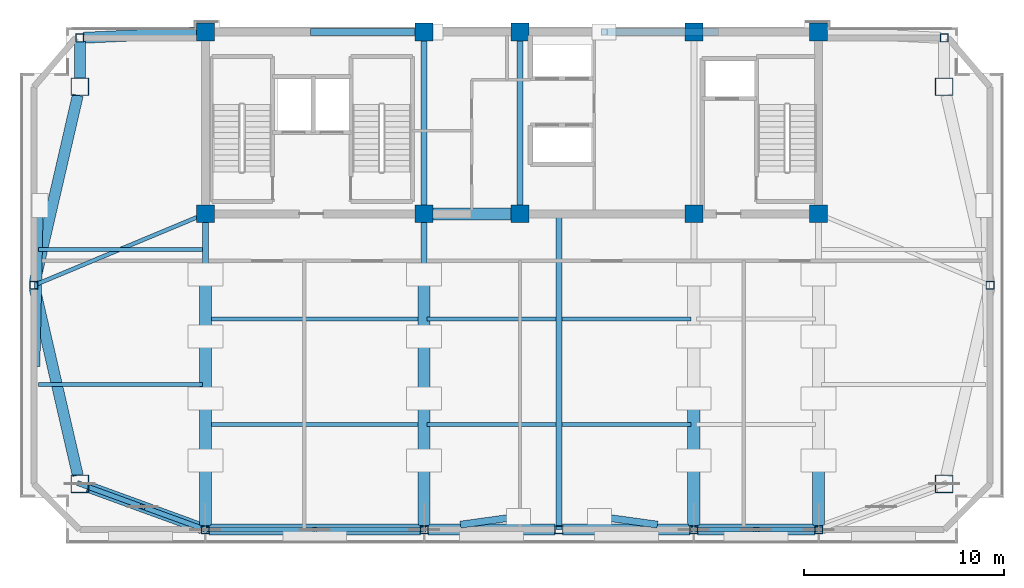
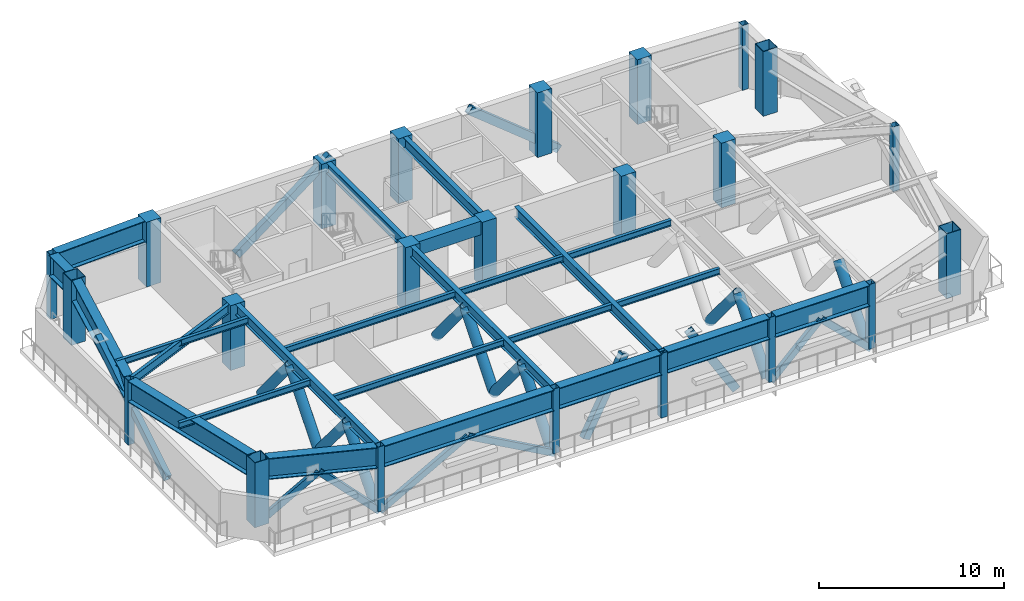
# One storey, part 1 of 7: 24 beams, 23 columns, 22 members.
"""IFC4 building model written with IfcOpenShell, lengths in metres."""

from ifc_helpers import new_model, si_unit, direction, frame, origin, origin_2d, place, context, subcontext, project, spatial, rectangle, hollow_rectangle, hollow_circle, i_section, extrude, source, transform, mapped, material, material_profile, profile_set, type_object, element, save


model = new_model("IFC4")

# Units and contexts
model_context = context("Model", 3, precision=1e-05, world=origin(), true_north=direction((0.0, 1.0)))
body_context = subcontext(model_context, "Body", "Model", "MODEL_VIEW")
ifc_project = project(units=[si_unit("LENGTHUNIT", "METRE"), si_unit("AREAUNIT", "SQUARE_METRE"), si_unit("VOLUMEUNIT", "CUBIC_METRE"), si_unit("PLANEANGLEUNIT", "RADIAN"), si_unit("MASSUNIT", "GRAM", prefix="KILO")], contexts=[model_context])

# Site, building, storey
site_placement = place(None, origin())
site = spatial("IfcSite", under=ifc_project, at=site_placement, CompositionType="ELEMENT")
building_placement = place(site_placement, origin())
building = spatial("IfcBuilding", under=site, at=building_placement, Name="Giltprow Tower", CompositionType="ELEMENT")
storey_placement = place(building_placement, frame((0.0, 0.0, 327.800048828125)))
storey = spatial("IfcBuildingStorey", under=building, at=storey_placement, Name="L85", CompositionType="ELEMENT", Elevation=327.800048828125)

# Columns
ifc_material_1 = material(Name="Concrete C45", Category="concrete")
ifc_material_profile_1 = material_profile(ifc_material_1, rectangle(XDim=0.89990234375, YDim=0.89990234375, at=origin_2d()), Name="RC 900x900")
ifc_profile_set_1 = profile_set([ifc_material_profile_1], Name="Concrete C45")
column_type_1 = type_object("IfcColumnType", Name="PIL-RC-900-C45", PredefinedType="PILASTER", material=ifc_profile_set_1)
shared_shape_1 = source(origin(), body_context, "Body", "SweptSolid", [
    extrude(rectangle(XDim=0.89990234375, YDim=0.89990234375, at=origin_2d()), origin(), (0.0, 0.0, 1.0), 4.284912109375),
])
for number, where, z_axis, x_axis, name in (
    (1, (19.85009765625, 37.449951171875, 0.0), (0.0, 0.0, 1.0), (1.0, 0.0, 0.0), "L85 Core Boundary Pilaster 1-1"),
    (2, (19.85009765625, 46.550048828125, 0.0), (0.0, 0.0, 1.0), (1.0, 0.0, 0.0), "L85 Core Boundary Pilaster 1-2"),
    (3, (30.800048828125, 37.449951171875, 0.0), (0.0, 0.0, 1.0), (1.0, 0.0, 0.0), "L85 Core Boundary Pilaster 2-1"),
    (4, (30.800048828125, 46.550048828125, 0.0), (0.0, 0.0, 1.0), (1.0, 0.0, 0.0), "L85 Core Boundary Pilaster 2-2"),
    (5, (35.60009765625, 37.449951171875, 0.0), (0.0, 0.0, 1.0), (1.0, 0.0, 0.0), "L85 Core Boundary Pilaster 3-1"),
    (6, (35.60009765625, 46.550048828125, 0.0), (0.0, 0.0, 1.0), (1.0, 0.0, 0.0), "L85 Core Boundary Pilaster 3-2"),
    (7, (44.300048828125, 37.449951171875, 0.0), (0.0, 0.0, 1.0), (1.0, 0.0, 0.0), "L85 Core Boundary Pilaster 4-1"),
    (8, (44.300048828125, 46.550048828125, 0.0), (0.0, 0.0, 1.0), (1.0, 0.0, 0.0), "L85 Core Boundary Pilaster 4-2"),
    (9, (50.550048828125, 37.449951171875, 0.0), (0.0, 0.0, 1.0), (1.0, 0.0, 0.0), "L85 Core Boundary Pilaster 5-1"),
    (10, (50.550048828125, 46.550048828125, 0.0), (0.0, 0.0, 1.0), (1.0, 0.0, 0.0), "L85 Core Boundary Pilaster 5-2"),
):
    element("IfcColumn", number, at=place(storey_placement, frame(where, z_axis=z_axis, x_axis=x_axis)), inside=storey, type_object=column_type_1, Name=name, PredefinedType="PILASTER", context=body_context, shape_type="MappedRepresentation", body=[
        mapped(shared_shape_1, transform((0.0, 0.0, 0.0), x_axis=(1.0, 0.0, 0.0), y_axis=(0.0, 1.0, 0.0), z_axis=(0.0, 0.0, 1.0), scale=1.0)),
    ])
ifc_material_2 = material(Name="Structural steel Q420GJC", Category="steel")
ifc_material_profile_2 = material_profile(ifc_material_2, hollow_rectangle(XDim=0.89990234375, YDim=0.89990234375, WallThickness=0.0400390625, at=origin_2d()), Name="BOX 900x900x40")
ifc_profile_set_2 = profile_set([ifc_material_profile_2], Name="Structural steel Q420GJC")
column_type_2 = type_object("IfcColumnType", Name="COL-BOX-900x900x40", PredefinedType="COLUMN", material=ifc_profile_set_2)
shared_shape_2 = source(origin(), body_context, "Body", "SweptSolid", [
    extrude(hollow_rectangle(XDim=0.89990234375, YDim=0.89990234375, WallThickness=0.0400390625, at=origin_2d()), origin(), (0.0, 0.0, 1.0), 4.284912109375),
])
for number, where, z_axis, x_axis, name in (
    (11, (13.56201171875, 23.927978515625, 0.0), (0.0, 0.0, 1.0), (1.0, 0.0, 0.0), "L85 Mega-Column MC_SW"),
    (12, (56.839111328125, 23.927978515625, 0.0), (0.0, 0.0, 1.0), (1.0, 0.0, 0.0), "L85 Mega-Column MC_SE"),
    (13, (13.56201171875, 43.80810546875, 0.0), (0.0, 0.0, 1.0), (1.0, 0.0, 0.0), "L85 Mega-Column MC_NW"),
    (14, (56.839111328125, 43.80810546875, 0.0), (0.0, 0.0, 1.0), (1.0, 0.0, 0.0), "L85 Mega-Column MC_NE"),
):
    element("IfcColumn", number, at=place(storey_placement, frame(where, z_axis=z_axis, x_axis=x_axis)), inside=storey, type_object=column_type_2, Name=name, PredefinedType="COLUMN", context=body_context, shape_type="MappedRepresentation", body=[
        mapped(shared_shape_2, transform((0.0, 0.0, 0.0), x_axis=(1.0, 0.0, 0.0), y_axis=(0.0, 1.0, 0.0), z_axis=(0.0, 0.0, 1.0), scale=1.0)),
    ])
ifc_material_3 = material(Name="Structural steel Q355B", Category="steel")
ifc_material_profile_3 = material_profile(ifc_material_3, hollow_rectangle(XDim=0.39990234375, YDim=0.39990234375, WallThickness=0.02001953125, at=origin_2d()), Name="BOX 400x400x20")
ifc_profile_set_3 = profile_set([ifc_material_profile_3], Name="Structural steel Q355B")
column_type_3 = type_object("IfcColumnType", Name="COL-BOX-400x400x20", PredefinedType="COLUMN", material=ifc_profile_set_3)
shared_shape_3 = source(origin(), body_context, "Body", "SweptSolid", [
    extrude(hollow_rectangle(XDim=0.39990234375, YDim=0.39990234375, WallThickness=0.02001953125, at=origin_2d()), origin(), (0.0, 0.0, 1.0), 4.284912109375),
])
for number, where, z_axis, x_axis, name in (
    (15, (19.85009765625, 21.635986328125, 0.0), (0.0, 0.0, 1.0), (1.0, 0.0, 0.0), "L85 Perimeter Column S1"),
    (16, (30.800048828125, 21.635986328125, 0.0), (0.0, 0.0, 1.0), (1.0, 0.0, 0.0), "L85 Perimeter Column S2"),
    (17, (37.550048828125, 21.635986328125, 0.0), (0.0, 0.0, 1.0), (1.0, 0.0, 0.0), "L85 Perimeter Column S_MID"),
    (18, (44.300048828125, 21.635986328125, 0.0), (0.0, 0.0, 1.0), (1.0, 0.0, 0.0), "L85 Perimeter Column S3"),
    (19, (50.550048828125, 21.635986328125, 0.0), (0.0, 0.0, 1.0), (1.0, 0.0, 0.0), "L85 Perimeter Column S4"),
    (20, (11.27001953125, 33.867919921875, 0.0), (0.0, 0.0, 1.0), (1.0, 0.0, 0.0), "L85 Perimeter Column W_MID"),
    (21, (59.131103515625, 33.867919921875, 0.0), (0.0, 0.0, 1.0), (1.0, 0.0, 0.0), "L85 Perimeter Column E_MID"),
    (22, (13.56201171875, 46.25, 0.0), (0.0, 0.0, 1.0), (1.0, 0.0, 0.0), "L85 Perimeter Column N_W"),
    (23, (56.839111328125, 46.25, 0.0), (0.0, 0.0, 1.0), (1.0, 0.0, 0.0), "L85 Perimeter Column N_E"),
):
    element("IfcColumn", number, at=place(storey_placement, frame(where, z_axis=z_axis, x_axis=x_axis)), inside=storey, type_object=column_type_3, Name=name, PredefinedType="COLUMN", context=body_context, shape_type="MappedRepresentation", body=[
        mapped(shared_shape_3, transform((0.0, 0.0, 0.0), x_axis=(1.0, 0.0, 0.0), y_axis=(0.0, 1.0, 0.0), z_axis=(0.0, 0.0, 1.0), scale=1.0)),
    ])

# Beams
ifc_material_profile_4 = material_profile(ifc_material_3, i_section(OverallWidth=0.199951171875, OverallDepth=0.39990234375, WebThickness=0.008056640625, FlangeThickness=0.012939453125, at=origin_2d()), Name="HN 400x200x8x13")
ifc_profile_set_4 = profile_set([ifc_material_profile_4], Name="Structural steel Q355B")
beam_type_1 = type_object("IfcBeamType", Name="BM-JOIST-HN400", PredefinedType="JOIST", material=ifc_profile_set_4)
shared_shape_4 = source(origin(), body_context, "Body", "SweptSolid", [
    extrude(i_section(OverallWidth=0.199951171875, OverallDepth=0.39990234375, WebThickness=0.008056640625, FlangeThickness=0.012939453125, at=origin_2d()), origin(), (0.0, 0.0, 1.0), 10.659912109375),
])
for number, where, z_axis, x_axis, name in (
    (24, (19.9951171875, 26.906982421875, 4.0849609375), (1.0, 0.0, 0.0), (0.0, 1.0, 0.0), "L85 Composite Floor Joist 1-1"),
    (25, (19.9951171875, 32.178955078125, 4.0849609375), (1.0, 0.0, 0.0), (0.0, 1.0, 0.0), "L85 Composite Floor Joist 2-1"),
):
    element("IfcBeam", number, at=place(storey_placement, frame(where, z_axis=z_axis, x_axis=x_axis)), inside=storey, type_object=beam_type_1, Name=name, PredefinedType="JOIST", context=body_context, shape_type="MappedRepresentation", body=[
        mapped(shared_shape_4, transform((0.0, 0.0, 0.0), x_axis=(1.0, 0.0, 0.0), y_axis=(0.0, 1.0, 0.0), z_axis=(0.0, 0.0, 1.0), scale=1.0)),
    ])
shared_shape_5 = source(origin(), body_context, "Body", "SweptSolid", [
    extrude(i_section(OverallWidth=0.199951171875, OverallDepth=0.39990234375, WebThickness=0.008056640625, FlangeThickness=0.012939453125, at=origin_2d()), origin(), (0.0, 0.0, 1.0), 6.4599609375),
])
for number, where, z_axis, x_axis, name in (
    (26, (30.945068359375, 26.906982421875, 4.0849609375), (1.0, 0.0, 0.0), (0.0, 1.0, 0.0), "L85 Composite Floor Joist 1-2"),
    (27, (37.695068359375, 26.906982421875, 4.0849609375), (1.0, 0.0, 0.0), (0.0, 1.0, 0.0), "L85 Composite Floor Joist 1-3"),
    (28, (30.945068359375, 32.178955078125, 4.0849609375), (1.0, 0.0, 0.0), (0.0, 1.0, 0.0), "L85 Composite Floor Joist 2-2"),
    (29, (37.695068359375, 32.178955078125, 4.0849609375), (1.0, 0.0, 0.0), (0.0, 1.0, 0.0), "L85 Composite Floor Joist 2-3"),
):
    element("IfcBeam", number, at=place(storey_placement, frame(where, z_axis=z_axis, x_axis=x_axis)), inside=storey, type_object=beam_type_1, Name=name, PredefinedType="JOIST", context=body_context, shape_type="MappedRepresentation", body=[
        mapped(shared_shape_5, transform((0.0, 0.0, 0.0), x_axis=(1.0, 0.0, 0.0), y_axis=(0.0, 1.0, 0.0), z_axis=(0.0, 0.0, 1.0), scale=1.0)),
    ])
ifc_material_4 = material(Name="Concrete C50", Category="concrete")
ifc_material_profile_5 = material_profile(ifc_material_4, rectangle(XDim=0.60009765625, YDim=0.89990234375, at=origin_2d()), Name="RC 900x600")
ifc_profile_set_5 = profile_set([ifc_material_profile_5], Name="Concrete C50")
beam_type_2 = type_object("IfcBeamType", Name="BM-CPL-RC900", PredefinedType="LINTEL", material=ifc_profile_set_5)
shared_shape_6 = source(origin(), body_context, "Body", "SweptSolid", [
    extrude(rectangle(XDim=0.60009765625, YDim=0.89990234375, at=origin_2d()), origin(), (0.0, 0.0, 1.0), 3.929931640625),
])
beam_1_placement = place(storey_placement, frame((31.235107421875, 37.449951171875, 3.8349609375), z_axis=(1.0, 0.0, 0.0), x_axis=(0.0, 1.0, 0.0)))
element("IfcBeam", 30, at=beam_1_placement, inside=storey, type_object=beam_type_2, Name="L85 Core Coupling Beam CB-1", PredefinedType="LINTEL", context=body_context, shape_type="MappedRepresentation", body=[
    mapped(shared_shape_6, transform((0.0, 0.0, 0.0), x_axis=(1.0, 0.0, 0.0), y_axis=(0.0, 1.0, 0.0), z_axis=(0.0, 0.0, 1.0), scale=1.0)),
])
ifc_material_profile_6 = material_profile(ifc_material_3, i_section(OverallWidth=0.300048828125, OverallDepth=0.699951171875, WebThickness=0.012939453125, FlangeThickness=0.02392578125, at=origin_2d()), Name="HN 700x300x13x24")
ifc_profile_set_6 = profile_set([ifc_material_profile_6], Name="Structural steel Q355B")
beam_type_3 = type_object("IfcBeamType", Name="BM-GIRD-HN700", PredefinedType="BEAM", material=ifc_profile_set_6)
shared_shape_7 = source(origin(), body_context, "Body", "SweptSolid", [
    extrude(i_section(OverallWidth=0.300048828125, OverallDepth=0.699951171875, WebThickness=0.012939453125, FlangeThickness=0.02392578125, at=origin_2d()), origin(), (0.0, 0.0, 1.0), 8.22998046875),
])
for number, where, z_axis, x_axis, name in (
    (31, (30.800048828125, 37.885009765625, 3.93505859375), (0.0, 1.0, 0.0), (-1.0, 0.0, 0.0), "L85 Core Tie Girder M1"),
    (32, (35.60009765625, 37.885009765625, 3.93505859375), (0.0, 1.0, 0.0), (-1.0, 0.0, 0.0), "L85 Core Tie Girder M2"),
):
    element("IfcBeam", number, at=place(storey_placement, frame(where, z_axis=z_axis, x_axis=x_axis)), inside=storey, type_object=beam_type_3, Name=name, PredefinedType="BEAM", context=body_context, shape_type="MappedRepresentation", body=[
        mapped(shared_shape_7, transform((0.0, 0.0, 0.0), x_axis=(1.0, 0.0, 0.0), y_axis=(0.0, 1.0, 0.0), z_axis=(0.0, 0.0, 1.0), scale=1.0)),
    ])

# Members
ifc_material_profile_7 = material_profile(ifc_material_2, hollow_rectangle(XDim=0.25, YDim=0.39990234375, WallThickness=0.01806640625, at=origin_2d()), Name="RHS 400x250x18")
ifc_profile_set_7 = profile_set([ifc_material_profile_7], Name="Structural steel Q420GJC")
member_type_1 = type_object("IfcMemberType", Name="MBR-BELT-RHS400", PredefinedType="CHORD", material=ifc_profile_set_7)
shared_shape_8 = source(origin(), body_context, "Body", "SweptSolid", [
    extrude(hollow_rectangle(XDim=0.25, YDim=0.39990234375, WallThickness=0.01806640625, at=origin_2d()), origin(), (0.0, 0.0, 1.0), 6.2646484375),
])
member_1_placement = place(storey_placement, frame((19.85009765625, 21.635986328125, -0.080078125), z_axis=(0.873931074391, 0.0, 0.486049871117), x_axis=(0.0, 1.0, 0.0)))
element("IfcMember", 33, at=member_1_placement, inside=storey, type_object=member_type_1, Name="L85 Belt-Truss Diagonal 2-1", PredefinedType="CHORD", context=body_context, shape_type="MappedRepresentation", body=[
    mapped(shared_shape_8, transform((0.0, 0.0, 0.0), x_axis=(1.0, 0.0, 0.0), y_axis=(0.0, 1.0, 0.0), z_axis=(0.0, 0.0, 1.0), scale=1.0)),
])
shared_shape_9 = source(origin(), body_context, "Body", "SweptSolid", [
    extrude(hollow_rectangle(XDim=0.25, YDim=0.39990234375, WallThickness=0.01806640625, at=origin_2d()), origin(), (0.0, 0.0, 1.0), 6.264892578125),
])
member_2_placement = place(storey_placement, frame((30.800048828125, 21.635986328125, -0.080078125), z_axis=(-0.873940280672, 0.0, 0.486033317602), x_axis=(0.0, -1.0, 0.0)))
element("IfcMember", 34, at=member_2_placement, inside=storey, type_object=member_type_1, Name="L85 Belt-Truss Diagonal 2-2", PredefinedType="CHORD", context=body_context, shape_type="MappedRepresentation", body=[
    mapped(shared_shape_9, transform((0.0, 0.0, 0.0), x_axis=(1.0, 0.0, 0.0), y_axis=(0.0, 1.0, 0.0), z_axis=(0.0, 0.0, 1.0), scale=1.0)),
])
shared_shape_10 = source(origin(), body_context, "Body", "SweptSolid", [
    extrude(hollow_rectangle(XDim=0.25, YDim=0.39990234375, WallThickness=0.01806640625, at=origin_2d()), origin(), (0.0, 0.0, 1.0), 4.36328125),
])
for number, where, z_axis, x_axis, name in (
    (35, (44.300048828125, 21.635986328125, -0.080078125), (0.716223851083, 0.0, 0.697870614899), (0.0, 1.0, 0.0), "L85 Belt-Truss Diagonal 3-1"),
    (36, (50.550048828125, 21.635986328125, -0.080078125), (-0.716223851083, 0.0, 0.697870614899), (0.0, -1.0, 0.0), "L85 Belt-Truss Diagonal 3-2"),
):
    element("IfcMember", number, at=place(storey_placement, frame(where, z_axis=z_axis, x_axis=x_axis)), inside=storey, type_object=member_type_1, Name=name, PredefinedType="CHORD", context=body_context, shape_type="MappedRepresentation", body=[
        mapped(shared_shape_10, transform((0.0, 0.0, 0.0), x_axis=(1.0, 0.0, 0.0), y_axis=(0.0, 1.0, 0.0), z_axis=(0.0, 0.0, 1.0), scale=1.0)),
    ])

# Beams
shared_shape_11 = source(origin(), body_context, "Body", "SweptSolid", [
    extrude(i_section(OverallWidth=0.300048828125, OverallDepth=0.699951171875, WebThickness=0.012939453125, FlangeThickness=0.02392578125, at=origin_2d()), origin(), (0.0, 0.0, 1.0), 15.19384765625),
])
for number, where, z_axis, x_axis, name in (
    (37, (19.85009765625, 21.821044921875, 3.93505859375), (0.0, 1.0, 0.0), (-1.0, 0.0, 0.0), "L85 Primary Lease Girder S1"),
    (38, (30.800048828125, 21.821044921875, 3.93505859375), (0.0, 1.0, 0.0), (-1.0, 0.0, 0.0), "L85 Primary Lease Girder S2"),
):
    element("IfcBeam", number, at=place(storey_placement, frame(where, z_axis=z_axis, x_axis=x_axis)), inside=storey, type_object=beam_type_3, Name=name, PredefinedType="BEAM", context=body_context, shape_type="MappedRepresentation", body=[
        mapped(shared_shape_11, transform((0.0, 0.0, 0.0), x_axis=(1.0, 0.0, 0.0), y_axis=(0.0, 1.0, 0.0), z_axis=(0.0, 0.0, 1.0), scale=1.0)),
    ])
shared_shape_12 = source(origin(), body_context, "Body", "SweptSolid", [
    extrude(i_section(OverallWidth=0.300048828125, OverallDepth=0.699951171875, WebThickness=0.012939453125, FlangeThickness=0.02392578125, at=origin_2d()), origin(), (0.0, 0.0, 1.0), 15.81396484375),
])
beam_2_placement = place(storey_placement, frame((37.550048828125, 21.635986328125, 3.93505859375), z_axis=(0.0, 1.0, 0.0), x_axis=(-1.0, 0.0, 0.0)))
element("IfcBeam", 39, at=beam_2_placement, inside=storey, type_object=beam_type_3, Name="L85 Central Lease Girder SMID", PredefinedType="BEAM", context=body_context, shape_type="MappedRepresentation", body=[
    mapped(shared_shape_12, transform((0.0, 0.0, 0.0), x_axis=(1.0, 0.0, 0.0), y_axis=(0.0, 1.0, 0.0), z_axis=(0.0, 0.0, 1.0), scale=1.0)),
])
ifc_material_profile_8 = material_profile(ifc_material_3, i_section(OverallWidth=0.199951171875, OverallDepth=0.60009765625, WebThickness=0.010986328125, FlangeThickness=0.01708984375, at=origin_2d()), Name="HN 600x200x11x17")
ifc_profile_set_8 = profile_set([ifc_material_profile_8], Name="Structural steel Q355B")
beam_type_4 = type_object("IfcBeamType", Name="BM-GIRD-HN600", PredefinedType="BEAM", material=ifc_profile_set_8)
shared_shape_13 = source(origin(), body_context, "Body", "SweptSolid", [
    extrude(i_section(OverallWidth=0.199951171875, OverallDepth=0.60009765625, WebThickness=0.010986328125, FlangeThickness=0.01708984375, at=origin_2d()), origin(), (0.0, 0.0, 1.0), 8.677734375),
])
beam_3_placement = place(storey_placement, frame((11.44091796875, 33.93896484375, 3.98486328125), z_axis=(0.922817849447, 0.385236572436, 0.0), x_axis=(-0.385236572436, 0.922817849447, 0.0)))
element("IfcBeam", 40, at=beam_3_placement, inside=storey, type_object=beam_type_4, Name="L85 West Wing Primary Girder", PredefinedType="BEAM", context=body_context, shape_type="MappedRepresentation", body=[
    mapped(shared_shape_13, transform((0.0, 0.0, 0.0), x_axis=(1.0, 0.0, 0.0), y_axis=(0.0, 1.0, 0.0), z_axis=(0.0, 0.0, 1.0), scale=1.0)),
])
shared_shape_14 = source(origin(), body_context, "Body", "SweptSolid", [
    extrude(i_section(OverallWidth=0.199951171875, OverallDepth=0.39990234375, WebThickness=0.008056640625, FlangeThickness=0.012939453125, at=origin_2d()), origin(), (0.0, 0.0, 1.0), 8.215087890625),
])
for number, where, z_axis, x_axis, name in (
    (41, (11.489990234375, 28.89794921875, 4.0849609375), (1.0, 0.0, 0.0), (0.0, 1.0, 0.0), "L85 West Wing Floor Joist 1"),
    (42, (11.489990234375, 35.658935546875, 4.0849609375), (1.0, 0.0, 0.0), (0.0, 1.0, 0.0), "L85 West Wing Floor Joist 2"),
):
    element("IfcBeam", number, at=place(storey_placement, frame(where, z_axis=z_axis, x_axis=x_axis)), inside=storey, type_object=beam_type_1, Name=name, PredefinedType="JOIST", context=body_context, shape_type="MappedRepresentation", body=[
        mapped(shared_shape_14, transform((0.0, 0.0, 0.0), x_axis=(1.0, 0.0, 0.0), y_axis=(0.0, 1.0, 0.0), z_axis=(0.0, 0.0, 1.0), scale=1.0)),
    ])
ifc_material_profile_9 = material_profile(ifc_material_2, i_section(OverallWidth=0.550048828125, OverallDepth=1.39990234375, WebThickness=0.031982421875, FlangeThickness=0.050048828125, at=origin_2d()), Name="WH 1400x550x32x50")
ifc_profile_set_9 = profile_set([ifc_material_profile_9], Name="Structural steel Q420GJC")
beam_type_5 = type_object("IfcBeamType", Name="BM-XFER-WH1400", PredefinedType="BEAM", material=ifc_profile_set_9)
shared_shape_15 = source(origin(), body_context, "Body", "SweptSolid", [
    extrude(i_section(OverallWidth=0.550048828125, OverallDepth=1.39990234375, WebThickness=0.031982421875, FlangeThickness=0.050048828125, at=origin_2d()), origin(), (0.0, 0.0, 1.0), 6.072509765625),
])
beam_4_placement = place(storey_placement, frame((13.970947265625, 23.779052734375, 3.5849609375), z_axis=(0.939501965711, -0.342543510265, 0.0), x_axis=(0.342543510265, 0.939501965711, 0.0)))
element("IfcBeam", 43, at=beam_4_placement, inside=storey, type_object=beam_type_5, Name="L85 Perimeter Spandrel Beam MC_SW-S1", PredefinedType="BEAM", context=body_context, shape_type="MappedRepresentation", body=[
    mapped(shared_shape_15, transform((0.0, 0.0, 0.0), x_axis=(1.0, 0.0, 0.0), y_axis=(0.0, 1.0, 0.0), z_axis=(0.0, 0.0, 1.0), scale=1.0)),
])
shared_shape_16 = source(origin(), body_context, "Body", "SweptSolid", [
    extrude(i_section(OverallWidth=0.550048828125, OverallDepth=1.39990234375, WebThickness=0.031982421875, FlangeThickness=0.050048828125, at=origin_2d()), origin(), (0.0, 0.0, 1.0), 10.580078125),
])
beam_5_placement = place(storey_placement, frame((20.034912109375, 21.635986328125, 3.5849609375), z_axis=(1.0, 0.0, 0.0), x_axis=(0.0, 1.0, 0.0)))
element("IfcBeam", 44, at=beam_5_placement, inside=storey, type_object=beam_type_5, Name="L85 Perimeter Spandrel Beam S1-S2", PredefinedType="BEAM", context=body_context, shape_type="MappedRepresentation", body=[
    mapped(shared_shape_16, transform((0.0, 0.0, 0.0), x_axis=(1.0, 0.0, 0.0), y_axis=(0.0, 1.0, 0.0), z_axis=(0.0, 0.0, 1.0), scale=1.0)),
])
shared_shape_17 = source(origin(), body_context, "Body", "SweptSolid", [
    extrude(i_section(OverallWidth=0.550048828125, OverallDepth=1.39990234375, WebThickness=0.031982421875, FlangeThickness=0.050048828125, at=origin_2d()), origin(), (0.0, 0.0, 1.0), 6.3798828125),
])
for number, where, z_axis, x_axis, name in (
    (45, (30.985107421875, 21.635986328125, 3.5849609375), (1.0, 0.0, 0.0), (0.0, 1.0, 0.0), "L85 Perimeter Spandrel Beam S2-S_MID"),
    (46, (37.735107421875, 21.635986328125, 3.5849609375), (1.0, 0.0, 0.0), (0.0, 1.0, 0.0), "L85 Perimeter Spandrel Beam S_MID-S3"),
):
    element("IfcBeam", number, at=place(storey_placement, frame(where, z_axis=z_axis, x_axis=x_axis)), inside=storey, type_object=beam_type_5, Name=name, PredefinedType="BEAM", context=body_context, shape_type="MappedRepresentation", body=[
        mapped(shared_shape_17, transform((0.0, 0.0, 0.0), x_axis=(1.0, 0.0, 0.0), y_axis=(0.0, 1.0, 0.0), z_axis=(0.0, 0.0, 1.0), scale=1.0)),
    ])
shared_shape_18 = source(origin(), body_context, "Body", "SweptSolid", [
    extrude(i_section(OverallWidth=0.550048828125, OverallDepth=1.39990234375, WebThickness=0.031982421875, FlangeThickness=0.050048828125, at=origin_2d()), origin(), (0.0, 0.0, 1.0), 5.8798828125),
])
beam_6_placement = place(storey_placement, frame((44.485107421875, 21.635986328125, 3.5849609375), z_axis=(1.0, 0.0, 0.0), x_axis=(0.0, 1.0, 0.0)))
element("IfcBeam", 47, at=beam_6_placement, inside=storey, type_object=beam_type_5, Name="L85 Perimeter Spandrel Beam S3-S4", PredefinedType="BEAM", context=body_context, shape_type="MappedRepresentation", body=[
    mapped(shared_shape_18, transform((0.0, 0.0, 0.0), x_axis=(1.0, 0.0, 0.0), y_axis=(0.0, 1.0, 0.0), z_axis=(0.0, 0.0, 1.0), scale=1.0)),
])
shared_shape_19 = source(origin(), body_context, "Body", "SweptSolid", [
    extrude(i_section(OverallWidth=0.550048828125, OverallDepth=1.39990234375, WebThickness=0.031982421875, FlangeThickness=0.050048828125, at=origin_2d()), origin(), (0.0, 0.0, 1.0), 9.580810546875),
])
for number, where, z_axis, x_axis, name in (
    (48, (13.464111328125, 43.384033203125, 3.5849609375), (-0.224626866527, -0.974444852639, 0.0), (0.974444852639, -0.224626866527, 0.0), "L85 Perimeter Spandrel Beam MC_NW-W_MID"),
    (49, (11.31201171875, 33.68798828125, 3.5849609375), (0.224626866527, -0.974444852639, 0.0), (0.974444852639, 0.224626866527, 0.0), "L85 Perimeter Spandrel Beam W_MID-MC_SW"),
):
    element("IfcBeam", number, at=place(storey_placement, frame(where, z_axis=z_axis, x_axis=x_axis)), inside=storey, type_object=beam_type_5, Name=name, PredefinedType="BEAM", context=body_context, shape_type="MappedRepresentation", body=[
        mapped(shared_shape_19, transform((0.0, 0.0, 0.0), x_axis=(1.0, 0.0, 0.0), y_axis=(0.0, 1.0, 0.0), z_axis=(0.0, 0.0, 1.0), scale=1.0)),
    ])
shared_shape_20 = source(origin(), body_context, "Body", "SweptSolid", [
    extrude(i_section(OverallWidth=0.550048828125, OverallDepth=1.39990234375, WebThickness=0.031982421875, FlangeThickness=0.050048828125, at=origin_2d()), origin(), (0.0, 0.0, 1.0), 1.822021484375),
])
beam_7_placement = place(storey_placement, frame((13.56201171875, 46.06494140625, 3.5849609375), z_axis=(0.0, -1.0, 0.0), x_axis=(1.0, 0.0, 0.0)))
element("IfcBeam", 50, at=beam_7_placement, inside=storey, type_object=beam_type_5, Name="L85 Perimeter Spandrel Beam N_W-MC_NW", PredefinedType="BEAM", context=body_context, shape_type="MappedRepresentation", body=[
    mapped(shared_shape_20, transform((0.0, 0.0, 0.0), x_axis=(1.0, 0.0, 0.0), y_axis=(0.0, 1.0, 0.0), z_axis=(0.0, 0.0, 1.0), scale=1.0)),
])
shared_shape_21 = source(origin(), body_context, "Body", "SweptSolid", [
    extrude(i_section(OverallWidth=0.550048828125, OverallDepth=1.39990234375, WebThickness=0.031982421875, FlangeThickness=0.050048828125, at=origin_2d()), origin(), (0.0, 0.0, 1.0), 5.67431640625),
])
beam_8_placement = place(storey_placement, frame((13.7470703125, 46.259033203125, 3.5849609375), z_axis=(0.9988671641, 0.047585591122, 0.0), x_axis=(-0.047585591122, 0.9988671641, 0.0)))
element("IfcBeam", 51, at=beam_8_placement, inside=storey, type_object=beam_type_5, Name="L85 North Wing Spandrel W", PredefinedType="BEAM", context=body_context, shape_type="MappedRepresentation", body=[
    mapped(shared_shape_21, transform((0.0, 0.0, 0.0), x_axis=(1.0, 0.0, 0.0), y_axis=(0.0, 1.0, 0.0), z_axis=(0.0, 0.0, 1.0), scale=1.0)),
])

# Members
ifc_material_profile_10 = material_profile(ifc_material_2, hollow_circle(Radius=0.304931640625, WallThickness=0.028076171875, at=origin_2d()), Name="CHS 610x28")
ifc_profile_set_10 = profile_set([ifc_material_profile_10], Name="Structural steel Q420GJC")
member_type_2 = type_object("IfcMemberType", Name="MBR-OUTR-CHS610", PredefinedType="BRACE", material=ifc_profile_set_10)
shared_shape_22 = source(origin(), body_context, "Body", "SweptSolid", [
    extrude(hollow_circle(Radius=0.304931640625, WallThickness=0.028076171875, at=origin_2d()), origin(), (0.0, 0.0, 1.0), 4.8642578125),
])
for number, where, z_axis, x_axis, name in (
    (52, (19.85009765625, 21.986083984375, -0.080078125), (0.0, 0.638128394991, 0.769929965326), (-1.0, 0.0, 0.0), "L85 Outrigger Truss Diagonal S1-1"),
    (53, (19.85009765625, 31.2958984375, 3.6650390625), (0.0, 0.638128394991, -0.769929965326), (-1.0, 0.0, 0.0), "L85 Outrigger Truss Diagonal S1-4"),
    (54, (30.800048828125, 21.986083984375, -0.080078125), (0.0, 0.638128394991, 0.769929965326), (-1.0, 0.0, 0.0), "L85 Outrigger Truss Diagonal S2-1"),
    (55, (30.800048828125, 31.2958984375, 3.6650390625), (0.0, 0.638128394991, -0.769929965326), (-1.0, 0.0, 0.0), "L85 Outrigger Truss Diagonal S2-4"),
    (56, (44.300048828125, 21.986083984375, -0.080078125), (0.0, 0.638128394991, 0.769929965326), (-1.0, 0.0, 0.0), "L85 Outrigger Truss Diagonal S3-1"),
    (57, (50.550048828125, 21.986083984375, -0.080078125), (0.0, 0.638128394991, 0.769929965326), (-1.0, 0.0, 0.0), "L85 Outrigger Truss Diagonal S4-1"),
):
    element("IfcMember", number, at=place(storey_placement, frame(where, z_axis=z_axis, x_axis=x_axis)), inside=storey, type_object=member_type_2, Name=name, PredefinedType="BRACE", context=body_context, shape_type="MappedRepresentation", body=[
        mapped(shared_shape_22, transform((0.0, 0.0, 0.0), x_axis=(1.0, 0.0, 0.0), y_axis=(0.0, 1.0, 0.0), z_axis=(0.0, 0.0, 1.0), scale=1.0)),
    ])
shared_shape_23 = source(origin(), body_context, "Body", "SweptSolid", [
    extrude(hollow_circle(Radius=0.304931640625, WallThickness=0.028076171875, at=origin_2d()), origin(), (0.0, 0.0, 1.0), 4.863525390625),
])
for number, where, z_axis, x_axis, name in (
    (58, (19.85009765625, 25.090087890625, 3.6650390625), (0.0, 0.63800936079, -0.770028606965), (-1.0, 0.0, 0.0), "L85 Outrigger Truss Diagonal S1-2"),
    (59, (19.85009765625, 28.193115234375, -0.080078125), (0.0, 0.637979595091, 0.770053268448), (-1.0, 0.0, 0.0), "L85 Outrigger Truss Diagonal S1-3"),
    (60, (30.800048828125, 25.090087890625, 3.6650390625), (0.0, 0.63800936079, -0.770028606965), (-1.0, 0.0, 0.0), "L85 Outrigger Truss Diagonal S2-2"),
    (61, (30.800048828125, 28.193115234375, -0.080078125), (0.0, 0.637979595091, 0.770053268448), (-1.0, 0.0, 0.0), "L85 Outrigger Truss Diagonal S2-3"),
    (62, (44.300048828125, 25.090087890625, 3.6650390625), (0.0, 0.63800936079, -0.770028606965), (-1.0, 0.0, 0.0), "L85 Outrigger Truss Diagonal S3-2"),
):
    element("IfcMember", number, at=place(storey_placement, frame(where, z_axis=z_axis, x_axis=x_axis)), inside=storey, type_object=member_type_2, Name=name, PredefinedType="BRACE", context=body_context, shape_type="MappedRepresentation", body=[
        mapped(shared_shape_23, transform((0.0, 0.0, 0.0), x_axis=(1.0, 0.0, 0.0), y_axis=(0.0, 1.0, 0.0), z_axis=(0.0, 0.0, 1.0), scale=1.0)),
    ])
shared_shape_24 = source(origin(), body_context, "Body", "SweptSolid", [
    extrude(hollow_rectangle(XDim=0.25, YDim=0.39990234375, WallThickness=0.01806640625, at=origin_2d()), origin(), (0.0, 0.0, 1.0), 4.5244140625),
])
for number, where, z_axis, x_axis, name in (
    (63, (13.56201171875, 23.927978515625, -0.080078125), (0.694913918805, -0.253294450603, 0.673005621629), (0.342457618058, 0.939533277662, 0.0), "L85 Belt-Truss Diagonal 1-1"),
    (64, (19.85009765625, 21.635986328125, -0.080078125), (-0.694913918805, 0.253294450603, 0.673005621629), (-0.342457618058, -0.939533277662, 0.0), "L85 Belt-Truss Diagonal 1-2"),
):
    element("IfcMember", number, at=place(storey_placement, frame(where, z_axis=z_axis, x_axis=x_axis)), inside=storey, type_object=member_type_1, Name=name, PredefinedType="CHORD", context=body_context, shape_type="MappedRepresentation", body=[
        mapped(shared_shape_24, transform((0.0, 0.0, 0.0), x_axis=(1.0, 0.0, 0.0), y_axis=(0.0, 1.0, 0.0), z_axis=(0.0, 0.0, 1.0), scale=1.0)),
    ])
ifc_material_profile_11 = material_profile(ifc_material_2, hollow_rectangle(XDim=0.35009765625, YDim=0.5, WallThickness=0.02392578125, at=origin_2d()), Name="RHS 500x350x24")
ifc_profile_set_11 = profile_set([ifc_material_profile_11], Name="Structural steel Q420GJC")
member_type_3 = type_object("IfcMemberType", Name="MBR-MEGA-RHS500", PredefinedType="BRACE", material=ifc_profile_set_11)
shared_shape_25 = source(origin(), body_context, "Body", "SweptSolid", [
    extrude(hollow_rectangle(XDim=0.35009765625, YDim=0.5, WallThickness=0.02392578125, at=origin_2d()), origin(), (0.0, 0.0, 1.0), 5.2548828125),
])
for number, where, z_axis, x_axis, name in (
    (65, (32.8310546875, 21.916015625, 0.0), (0.511522726362, 0.070804780652, 0.856347583316), (-0.137112315446, 0.990555507255, 0.0), "L85 Chevron Mega-Brace S-L"),
    (66, (42.26904296875, 21.916015625, 0.0), (-0.511522726362, 0.070804780652, 0.856347583316), (-0.137112315446, -0.990555507255, 0.0), "L85 Chevron Mega-Brace S-R"),
):
    element("IfcMember", number, at=place(storey_placement, frame(where, z_axis=z_axis, x_axis=x_axis)), inside=storey, type_object=member_type_3, Name=name, PredefinedType="BRACE", context=body_context, shape_type="MappedRepresentation", body=[
        mapped(shared_shape_25, transform((0.0, 0.0, 0.0), x_axis=(1.0, 0.0, 0.0), y_axis=(0.0, 1.0, 0.0), z_axis=(0.0, 0.0, 1.0), scale=1.0)),
    ])
shared_shape_26 = source(origin(), body_context, "Body", "SweptSolid", [
    extrude(hollow_rectangle(XDim=0.35009765625, YDim=0.5, WallThickness=0.02392578125, at=origin_2d()), origin(), (0.0, 0.0, 1.0), 7.41552734375),
])
member_3_placement = place(storey_placement, frame((25.2529296875, 46.550048828125, -0.14013671875), z_axis=(0.794826712697, 0.0, 0.60683646626), x_axis=(0.0, 1.0, 0.0)))
element("IfcMember", 67, at=member_3_placement, inside=storey, type_object=member_type_3, Name="L85 Chevron Mega-Brace N-L", PredefinedType="BRACE", context=body_context, shape_type="MappedRepresentation", body=[
    mapped(shared_shape_26, transform((0.0, 0.0, 0.0), x_axis=(1.0, 0.0, 0.0), y_axis=(0.0, 1.0, 0.0), z_axis=(0.0, 0.0, 1.0), scale=1.0)),
])
shared_shape_27 = source(origin(), body_context, "Body", "SweptSolid", [
    extrude(hollow_rectangle(XDim=0.35009765625, YDim=0.5, WallThickness=0.02392578125, at=origin_2d()), origin(), (0.0, 0.0, 1.0), 7.165283203125),
])
member_4_placement = place(storey_placement, frame((45.387939453125, 46.550048828125, -0.14013671875), z_axis=(-0.778189024551, 0.0, 0.628030128312), x_axis=(0.0, -1.0, 0.0)))
element("IfcMember", 68, at=member_4_placement, inside=storey, type_object=member_type_3, Name="L85 Chevron Mega-Brace N-R", PredefinedType="BRACE", context=body_context, shape_type="MappedRepresentation", body=[
    mapped(shared_shape_27, transform((0.0, 0.0, 0.0), x_axis=(1.0, 0.0, 0.0), y_axis=(0.0, 1.0, 0.0), z_axis=(0.0, 0.0, 1.0), scale=1.0)),
])
shared_shape_28 = source(origin(), body_context, "Body", "SweptSolid", [
    extrude(hollow_rectangle(XDim=0.35009765625, YDim=0.5, WallThickness=0.02392578125, at=origin_2d()), origin(), (0.0, 0.0, 1.0), 9.124267578125),
])
member_5_placement = place(storey_placement, frame((11.39501953125, 29.923095703125, 0.0), z_axis=(0.018087733453, 0.869736354843, 0.493185063605), x_axis=(-0.999783816668, 0.020792304571, 0.0)))
element("IfcMember", 69, at=member_5_placement, inside=storey, type_object=member_type_3, Name="L85 Chevron Mega-Brace W-D", PredefinedType="BRACE", context=body_context, shape_type="MappedRepresentation", body=[
    mapped(shared_shape_28, transform((0.0, 0.0, 0.0), x_axis=(1.0, 0.0, 0.0), y_axis=(0.0, 1.0, 0.0), z_axis=(0.0, 0.0, 1.0), scale=1.0)),
])

save(model, "model.ifc")
